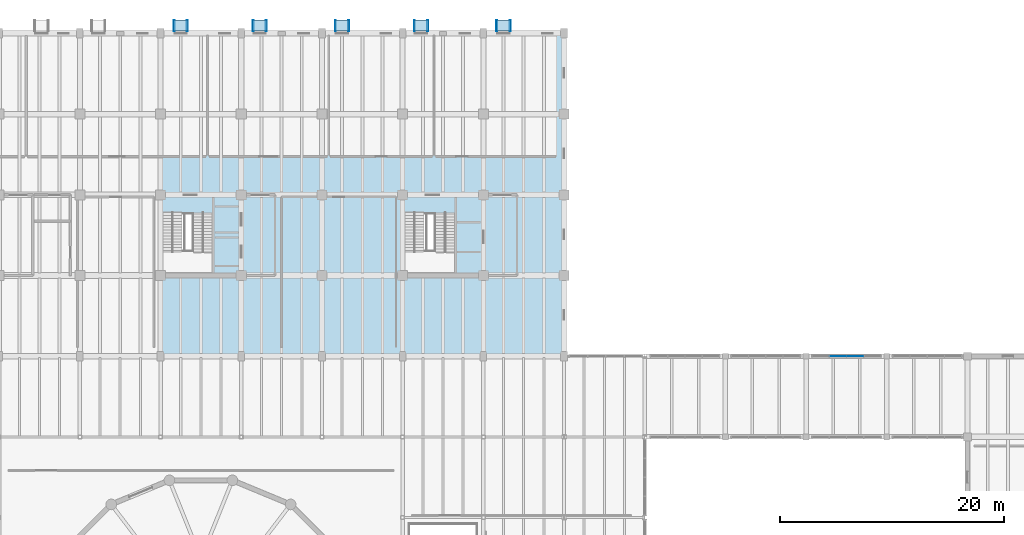
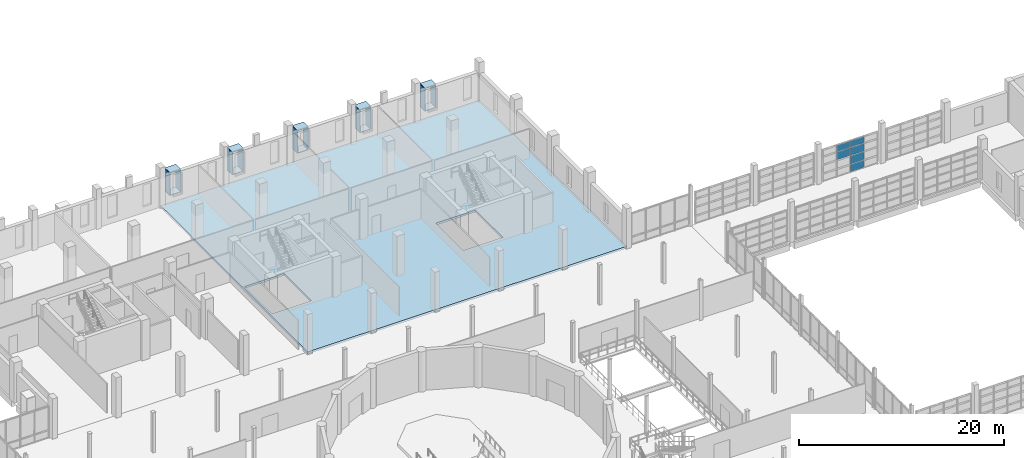
# One storey, part 55 of 77: 26 plates, 1 slab, 1 element without a shape of its own.
"""IFC4 building model written with IfcOpenShell, lengths in metres."""

from ifc_helpers import new_model, si_unit, direction, frame, frame_2d, origin, origin_2d, place, context, subcontext, project, spatial, polyline, rectangle, outline, extrude, material, layer, layer_set, type_object, element, aggregate, save


model = new_model("IFC4")

# Units and contexts
model_context = context("Model", 3, precision=1e-05, world=origin(), true_north=direction((0.0, 1.0)))
body_context = subcontext(model_context, "Body", "Model", "MODEL_VIEW")
ifc_project = project(units=[si_unit("LENGTHUNIT", "METRE"), si_unit("AREAUNIT", "SQUARE_METRE"), si_unit("VOLUMEUNIT", "CUBIC_METRE"), si_unit("PLANEANGLEUNIT", "RADIAN"), si_unit("MASSUNIT", "GRAM", prefix="KILO")], contexts=[model_context])

# Site, building, storey
site_placement = place(None, origin())
site = spatial("IfcSite", under=ifc_project, at=site_placement, CompositionType="ELEMENT")
building_placement = place(site_placement, origin())
building = spatial("IfcBuilding", under=site, at=building_placement, Name="Qiaolan Assembly House", CompositionType="ELEMENT")
storey_placement = place(building_placement, frame((0.0, 0.0, 5.39990234375)))
storey = spatial("IfcBuildingStorey", under=building, at=storey_placement, Name="L01", CompositionType="ELEMENT", Elevation=5.39990234375)

# Curtain wall, plates
ifc_material_1 = material(Name="Anodised bronze aluminium", Category="aluminium")
curtain_wall_type = type_object("IfcCurtainWallType", Name="CW-CLOISTER-420", PredefinedType="NOTDEFINED", material=ifc_material_1)
curtain_wall_placement = place(storey_placement, origin())
curtain_wall = element("IfcCurtainWall", 1, at=curtain_wall_placement, inside=storey, type_object=curtain_wall_type, Name="CW-05 North Cloister outer arcade L01-3", PredefinedType="NOTDEFINED")
ifc_material_2 = material(Name="Low-E double insulating glass", Category="glass")
ifc_layer_1 = layer(ifc_material_2, 0.02587890625)
ifc_layer_set_1 = layer_set([ifc_layer_1], Name="Low-E double insulating glass")
plate_type_1 = type_object("IfcPlateType", Name="CW-CLOISTER-420-PNL", PredefinedType="CURTAIN_PANEL", material=ifc_layer_set_1)
plate_1_placement = place(storey_placement, frame((127.512939453125, 86.39990234375, 0.052978515625), z_axis=(0.0, 0.0, 1.0), x_axis=(-1.0, 0.0, 0.0)))
plate_1 = element("IfcPlate", 2, at=plate_1_placement, type_object=plate_type_1, Name="GL-06 glazing panel CW-CLN-OUT-L01-2-5", PredefinedType="CURTAIN_PANEL", context=body_context, shape_type="SweptSolid", body=[
    extrude(rectangle(XDim=1.48583984375, YDim=0.02587890625, at=frame_2d((0.742919921875, 0.0))), origin(), (0.0, 0.0, 1.0), 0.8740234375),
])
plate_2_placement = place(storey_placement, frame((127.512939453125, 86.39990234375, 0.97314453125), z_axis=(0.0, 0.0, 1.0), x_axis=(-1.0, 0.0, 0.0)))
plate_2 = element("IfcPlate", 3, at=plate_2_placement, type_object=plate_type_1, Name="GL-06 glazing panel CW-CLN-OUT-L01-2-6", PredefinedType="CURTAIN_PANEL", context=body_context, shape_type="SweptSolid", body=[
    extrude(rectangle(XDim=1.48583984375, YDim=0.02587890625, at=frame_2d((0.742919921875, 0.0))), origin(), (0.0, 0.0, 1.0), 0.990234375),
])
plate_3_placement = place(storey_placement, frame((127.512939453125, 86.39990234375, 2.009521484375), z_axis=(0.0, 0.0, 1.0), x_axis=(-1.0, 0.0, 0.0)))
plate_3 = element("IfcPlate", 4, at=plate_3_placement, type_object=plate_type_1, Name="GL-06 glazing panel CW-CLN-OUT-L01-2-7", PredefinedType="CURTAIN_PANEL", context=body_context, shape_type="SweptSolid", body=[
    extrude(rectangle(XDim=1.48583984375, YDim=0.02587890625, at=frame_2d((0.742919921875, 0.0))), origin(), (0.0, 0.0, 1.0), 0.9375),
])
plate_4_placement = place(storey_placement, frame((127.512939453125, 86.39990234375, 2.9931640625), z_axis=(0.0, 0.0, 1.0), x_axis=(-1.0, 0.0, 0.0)))
plate_4 = element("IfcPlate", 5, at=plate_4_placement, type_object=plate_type_1, Name="GL-06 glazing panel CW-CLN-OUT-L01-2-8", PredefinedType="CURTAIN_PANEL", context=body_context, shape_type="SweptSolid", body=[
    extrude(rectangle(XDim=1.48583984375, YDim=0.02587890625, at=frame_2d((0.742919921875, 0.0))), origin(), (0.0, 0.0, 1.0), 0.77392578125),
])
plate_5_placement = place(storey_placement, frame((125.972900390625, 86.39990234375, 2.009521484375), z_axis=(0.0, 0.0, 1.0), x_axis=(-1.0, 0.0, 0.0)))
plate_5 = element("IfcPlate", 6, at=plate_5_placement, type_object=plate_type_1, Name="GL-06 glazing panel CW-CLN-OUT-L01-2-11", PredefinedType="CURTAIN_PANEL", context=body_context, shape_type="SweptSolid", body=[
    extrude(rectangle(XDim=1.48583984375, YDim=0.02587890625, at=frame_2d((0.742919921875, 0.0))), origin(), (0.0, 0.0, 1.0), 0.9375),
])
plate_6_placement = place(storey_placement, frame((125.972900390625, 86.39990234375, 2.9931640625), z_axis=(0.0, 0.0, 1.0), x_axis=(-1.0, 0.0, 0.0)))
plate_6 = element("IfcPlate", 7, at=plate_6_placement, type_object=plate_type_1, Name="GL-06 glazing panel CW-CLN-OUT-L01-2-12", PredefinedType="CURTAIN_PANEL", context=body_context, shape_type="SweptSolid", body=[
    extrude(rectangle(XDim=1.48583984375, YDim=0.02587890625, at=frame_2d((0.742919921875, 0.0))), origin(), (0.0, 0.0, 1.0), 0.77392578125),
])
aggregate(curtain_wall, [plate_1, plate_2, plate_3, plate_4, plate_5, plate_6])

# Plates
ifc_material_3 = material(Name="Honed pale limestone", Category="masonry")
ifc_layer_2 = layer(ifc_material_3, 0.0849609375)
ifc_layer_set_2 = layer_set([ifc_layer_2], Name="Honed pale limestone")
plate_type_2 = type_object("IfcPlateType", Name="PLT-WINBOX-CHEEK", PredefinedType="SHEET", material=ifc_layer_set_2)
for number, where, z_axis, x_axis, name in (
    (8, (66.007568359375, 115.8974609375, 0.699951171875), (0.0, 0.0, 1.0), (1.0, 0.0, 0.0), "WB-02 projecting window-box left cheek NWN-L01-04-2"),
    (9, (67.1923828125, 115.8974609375, 0.699951171875), (0.0, 0.0, 1.0), (1.0, 0.0, 0.0), "WB-02 projecting window-box right cheek NWN-L01-04-2"),
    (10, (73.0576171875, 115.8974609375, 0.699951171875), (0.0, 0.0, 1.0), (1.0, 0.0, 0.0), "WB-02 projecting window-box left cheek NWN-L01-05-2"),
    (11, (74.242431640625, 115.8974609375, 0.699951171875), (0.0, 0.0, 1.0), (1.0, 0.0, 0.0), "WB-02 projecting window-box right cheek NWN-L01-05-2"),
    (12, (80.407470703125, 115.8974609375, 0.699951171875), (0.0, 0.0, 1.0), (1.0, 0.0, 0.0), "WB-02 projecting window-box left cheek NWN-L01-06-2"),
    (13, (81.592529296875, 115.8974609375, 0.699951171875), (0.0, 0.0, 1.0), (1.0, 0.0, 0.0), "WB-02 projecting window-box right cheek NWN-L01-06-2"),
    (14, (87.45751953125, 115.8974609375, 0.699951171875), (0.0, 0.0, 1.0), (1.0, 0.0, 0.0), "WB-02 projecting window-box left cheek NWN-L01-07-2"),
    (15, (88.642578125, 115.8974609375, 0.699951171875), (0.0, 0.0, 1.0), (1.0, 0.0, 0.0), "WB-02 projecting window-box right cheek NWN-L01-07-2"),
    (16, (94.8076171875, 115.8974609375, 0.699951171875), (0.0, 0.0, 1.0), (1.0, 0.0, 0.0), "WB-02 projecting window-box left cheek NWN-L01-08-2"),
    (17, (95.992431640625, 115.8974609375, 0.699951171875), (0.0, 0.0, 1.0), (1.0, 0.0, 0.0), "WB-02 projecting window-box right cheek NWN-L01-08-2"),
):
    element("IfcPlate", number, at=place(storey_placement, frame(where, z_axis=z_axis, x_axis=x_axis)), inside=storey, type_object=plate_type_2, Name=name, PredefinedType="SHEET", context=body_context, shape_type="SweptSolid", body=[
        extrude(rectangle(XDim=0.0849609375, YDim=1.0, at=origin_2d()), origin(), (0.0, 0.0, 1.0), 2.60009765625),
    ])
ifc_layer_3 = layer(ifc_material_3, 0.080078125)
ifc_layer_set_3 = layer_set([ifc_layer_3], Name="Honed pale limestone")
plate_type_3 = type_object("IfcPlateType", Name="PLT-WINBOX-SURROUND", PredefinedType="SHEET", material=ifc_layer_set_3)
for number, where, name in (
    (18, (0.0, 0.0, 0.6201171875), "WB-01 projecting limestone window-box sill NWN-L01-04-2"),
    (19, (0.0, 0.0, 3.300048828125), "WB-01 projecting limestone window-box hood NWN-L01-04-2"),
):
    element("IfcPlate", number, at=place(storey_placement, frame(where)), inside=storey, type_object=plate_type_3, Name=name, PredefinedType="SHEET", context=body_context, shape_type="SweptSolid", body=[
        extrude(outline(polyline([(65.965087890625, 115.3974609375), (65.965087890625, 116.3974609375), (67.235107421875, 116.3974609375), (67.235107421875, 115.3974609375), (65.965087890625, 115.3974609375)])), origin(), (0.0, 0.0, 1.0), 0.080078125),
    ])
for number, where, name in (
    (20, (0.0, 0.0, 0.6201171875), "WB-01 projecting limestone window-box sill NWN-L01-05-2"),
    (21, (0.0, 0.0, 3.300048828125), "WB-01 projecting limestone window-box hood NWN-L01-05-2"),
):
    element("IfcPlate", number, at=place(storey_placement, frame(where)), inside=storey, type_object=plate_type_3, Name=name, PredefinedType="SHEET", context=body_context, shape_type="SweptSolid", body=[
        extrude(outline(polyline([(73.014892578125, 115.3974609375), (73.014892578125, 116.3974609375), (74.284912109375, 116.3974609375), (74.284912109375, 115.3974609375), (73.014892578125, 115.3974609375)])), origin(), (0.0, 0.0, 1.0), 0.080078125),
    ])
for number, where, name in (
    (22, (0.0, 0.0, 0.6201171875), "WB-01 projecting limestone window-box sill NWN-L01-06-2"),
    (23, (0.0, 0.0, 3.300048828125), "WB-01 projecting limestone window-box hood NWN-L01-06-2"),
):
    element("IfcPlate", number, at=place(storey_placement, frame(where)), inside=storey, type_object=plate_type_3, Name=name, PredefinedType="SHEET", context=body_context, shape_type="SweptSolid", body=[
        extrude(outline(polyline([(80.364990234375, 115.3974609375), (80.364990234375, 116.3974609375), (81.635009765625, 116.3974609375), (81.635009765625, 115.3974609375), (80.364990234375, 115.3974609375)])), origin(), (0.0, 0.0, 1.0), 0.080078125),
    ])
for number, where, name in (
    (24, (0.0, 0.0, 0.6201171875), "WB-01 projecting limestone window-box sill NWN-L01-07-2"),
    (25, (0.0, 0.0, 3.300048828125), "WB-01 projecting limestone window-box hood NWN-L01-07-2"),
):
    element("IfcPlate", number, at=place(storey_placement, frame(where)), inside=storey, type_object=plate_type_3, Name=name, PredefinedType="SHEET", context=body_context, shape_type="SweptSolid", body=[
        extrude(outline(polyline([(87.4150390625, 115.3974609375), (87.4150390625, 116.3974609375), (88.68505859375, 116.3974609375), (88.68505859375, 115.3974609375), (87.4150390625, 115.3974609375)])), origin(), (0.0, 0.0, 1.0), 0.080078125),
    ])
for number, where, name in (
    (26, (0.0, 0.0, 0.6201171875), "WB-01 projecting limestone window-box sill NWN-L01-08-2"),
    (27, (0.0, 0.0, 3.300048828125), "WB-01 projecting limestone window-box hood NWN-L01-08-2"),
):
    element("IfcPlate", number, at=place(storey_placement, frame(where)), inside=storey, type_object=plate_type_3, Name=name, PredefinedType="SHEET", context=body_context, shape_type="SweptSolid", body=[
        extrude(outline(polyline([(94.764892578125, 115.3974609375), (94.764892578125, 116.3974609375), (96.034912109375, 116.3974609375), (96.034912109375, 115.3974609375), (94.764892578125, 115.3974609375)])), origin(), (0.0, 0.0, 1.0), 0.080078125),
    ])

# Slab
ifc_material_4 = material(Name="Concrete C40/50", Category="concrete")
ifc_layer_4 = layer(ifc_material_4, 0.25)
ifc_layer_set_4 = layer_set([ifc_layer_4], Name="Concrete C40/50")
slab_type = type_object("IfcSlabType", Name="SLB-COMM-250", PredefinedType="FLOOR", material=ifc_layer_set_4)
slab_placement = place(storey_placement, frame((0.0, 0.0, -0.25)))
element("IfcSlab", 28, at=slab_placement, inside=storey, type_object=slab_type, Name="FS-01 North-West Wing East Plate L01", PredefinedType="FLOOR", context=body_context, shape_type="SweptSolid", body=[
    extrude(outline(polyline([(64.800048828125, 86.39990234375), (100.800048828125, 86.39990234375), (100.800048828125, 115.199951171875), (64.800048828125, 115.199951171875), (64.800048828125, 86.39990234375)]), holes=[polyline([(65.0, 93.800048828125), (65.0, 99.14990234375), (69.47998046875, 99.14990234375), (69.47998046875, 93.800048828125), (65.0, 93.800048828125)]), polyline([(86.60009765625, 93.800048828125), (86.60009765625, 99.14990234375), (91.080078125, 99.14990234375), (91.080078125, 93.800048828125), (86.60009765625, 93.800048828125)])]), origin(), (0.0, 0.0, 1.0), 0.25),
])

save(model, "model.ifc")
